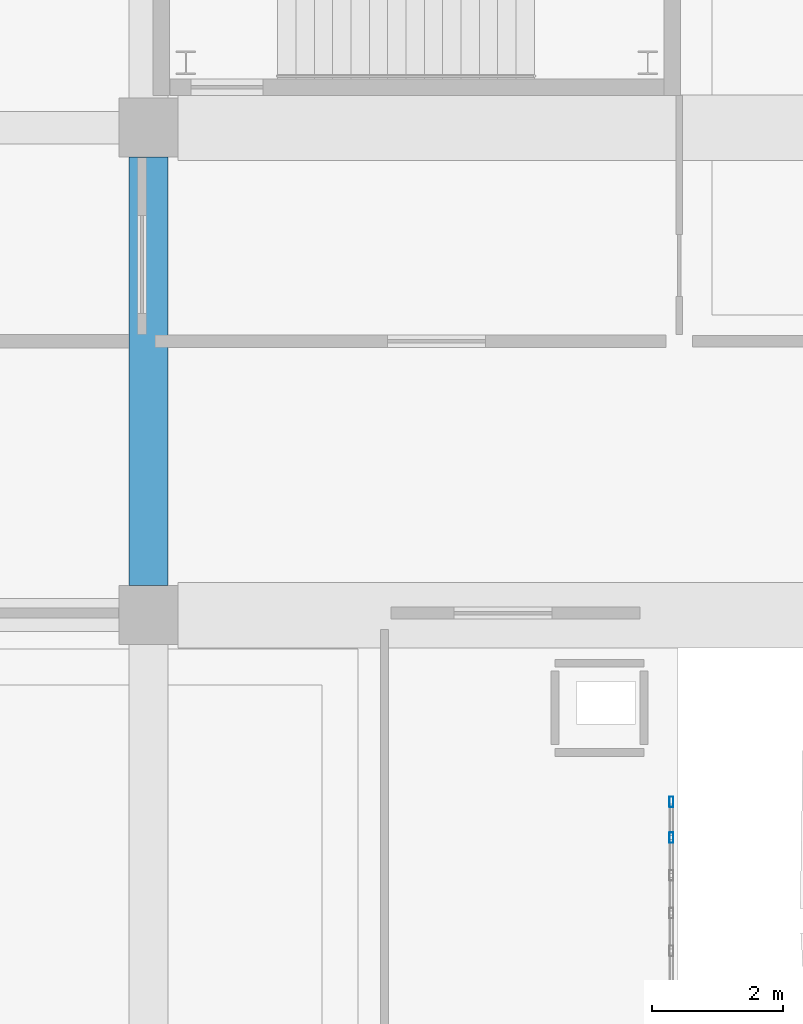
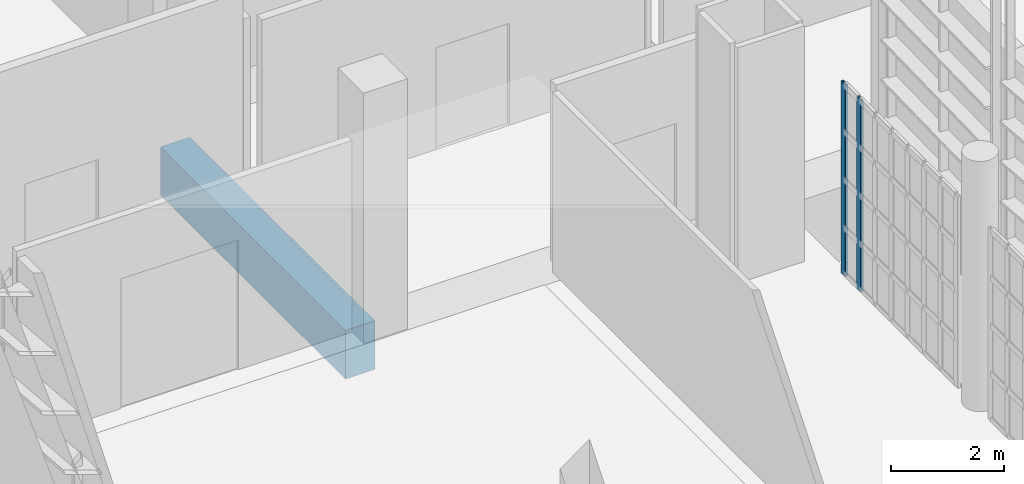
# One storey, part 194 of 372: 2 members, 1 beam, 1 element without a shape of its own.
"""IFC4 building model written with IfcOpenShell, lengths in metres."""

import ifcopenshell
import ifcopenshell.guid

model = None  # the IFC model being written
_history = None  # IfcOwnerHistory: only IFC2X3 demands one
_inside = {}  # id of a spatial element -> (the spatial element, [elements in it])
_under = {}  # id of a project, library or spatial element -> (it, [spatial elements below it])
_declared = {}  # id of a project -> (the project, [libraries it declares])
_typed = {}  # id of a type object -> (the type object, [elements of that type])
_made_of = {}  # id of a material, layer set ... -> (it, [elements and type objects made of it])


def new_model(schema):
    """Start an empty IFC model of exactly this schema.

    Asked for "IFC4X3", IfcOpenShell would pick the latest addendum, in which some entities
    have other attributes; the version numbers below select the first issue.
    IFC2X3 requires an IfcOwnerHistory on every rooted entity: one is made here for all.
    """
    global model, _history
    if schema == "IFC4X3":
        model = ifcopenshell.file(schema_version=(4, 3, 0, 0))
    else:
        model = ifcopenshell.file(schema=schema)
    _inside.clear()
    _under.clear()
    _declared.clear()
    _typed.clear()
    _made_of.clear()
    _history = None
    if model.schema == "IFC2X3":
        org = make("IfcOrganization", Name="unknown")
        user = make(
            "IfcPersonAndOrganization",
            ThePerson=make("IfcPerson", FamilyName="unknown"),
            TheOrganization=org,
        )
        app = make(
            "IfcApplication",
            ApplicationDeveloper=org,
            Version="unknown",
            ApplicationFullName="unknown",
            ApplicationIdentifier="unknown",
        )
        _history = make(
            "IfcOwnerHistory",
            OwningUser=user,
            OwningApplication=app,
            ChangeAction="ADDED",
            CreationDate=0,
        )
    return model


def make(cls, **values):
    """One entity of the class cls with the attributes given. An attribute that is None is left unset."""
    return model.create_entity(
        cls, **{name: value for name, value in values.items() if value is not None}
    )


def rooted(cls, **values):
    """An entity with a GlobalId (a new one), such as an element, a storey or a relation."""
    return make(cls, GlobalId=ifcopenshell.guid.new(), OwnerHistory=_history, **values)


def si_unit(unit_type, name, prefix=None):
    """IfcSIUnit, for example si_unit("LENGTHUNIT", "METRE", prefix="MILLI")."""
    return make("IfcSIUnit", UnitType=unit_type, Prefix=prefix, Name=name)


def assignment(units):
    """IfcUnitAssignment: the units of a project."""
    return None if units is None else make("IfcUnitAssignment", Units=units)


def point(xyz):
    """IfcCartesianPoint."""
    return None if xyz is None else make("IfcCartesianPoint", Coordinates=xyz)


def direction(xyz):
    """IfcDirection."""
    return None if xyz is None else make("IfcDirection", DirectionRatios=xyz)


def frame(location, z_axis=None, x_axis=None):
    """IfcAxis2Placement3D, a coordinate frame: its origin and axes. An axis left out is left unset."""
    return make(
        "IfcAxis2Placement3D",
        Location=point(location),
        Axis=direction(z_axis),
        RefDirection=direction(x_axis),
    )


def frame_2d(location, x_axis=None):
    """IfcAxis2Placement2D, a coordinate frame in the plane: its origin and x axis."""
    return make(
        "IfcAxis2Placement2D", Location=point(location), RefDirection=direction(x_axis)
    )


def origin():
    """The frame at (0, 0, 0) with its axes left unset."""
    return frame((0.0, 0.0, 0.0))


def origin_2d():
    """The frame at (0, 0) in the plane with its x axis left unset."""
    return frame_2d((0.0, 0.0))


def place(relative_to, where):
    """IfcLocalPlacement: puts the frame where relative to a parent placement (None: the world)."""
    return make(
        "IfcLocalPlacement", PlacementRelTo=relative_to, RelativePlacement=where
    )


def context(
    kind, dimensions, precision=None, world=None, true_north=None, identifier=None
):
    """IfcGeometricRepresentationContext, for example the 3D "Model" context."""
    return make(
        "IfcGeometricRepresentationContext",
        ContextIdentifier=identifier,
        ContextType=kind,
        CoordinateSpaceDimension=dimensions,
        Precision=precision,
        WorldCoordinateSystem=world,
        TrueNorth=true_north,
    )


def subcontext(parent, identifier, kind, view, scale=None):
    """IfcGeometricRepresentationSubContext, for example "Body" below "Model"."""
    return make(
        "IfcGeometricRepresentationSubContext",
        ContextIdentifier=identifier,
        ContextType=kind,
        ParentContext=parent,
        TargetScale=scale,
        TargetView=view,
    )


def project(units=None, contexts=None):
    """IfcProject with its units and contexts."""
    return rooted(
        "IfcProject",
        Name="project",
        RepresentationContexts=contexts,
        UnitsInContext=assignment(units),
    )


def spatial(cls, under=None, at=None, **own):
    """A site, building, storey or space (cls), placed at a placement, below another one or the project."""
    s = rooted(cls, ObjectPlacement=at, **own)
    if under is not None:
        _under.setdefault(under.id(), (under, []))[1].append(s)
    return s


def profile(cls, at=None, kind="AREA", **sizes):
    """A parametric profile (cls). Its sizes go by their IFC names, for example OverallWidth=200.0."""
    return make(cls, ProfileType=kind, Position=at, **sizes)


def rectangle(**sizes):
    """IfcRectangleProfileDef."""
    return profile("IfcRectangleProfileDef", **sizes)


def hollow_rectangle(**sizes):
    """IfcRectangleHollowProfileDef."""
    return profile("IfcRectangleHollowProfileDef", **sizes)


def extrude(swept, where, along, depth):
    """IfcExtrudedAreaSolid: the profile swept, set in the frame where, extruded along a direction by depth."""
    return make(
        "IfcExtrudedAreaSolid",
        SweptArea=swept,
        Position=where,
        ExtrudedDirection=direction(along),
        Depth=depth,
    )


def shape(context_of_items, identifier, shape_type, items):
    """IfcShapeRepresentation: the items that make up one representation, for example the "Body"."""
    return make(
        "IfcShapeRepresentation",
        ContextOfItems=context_of_items,
        RepresentationIdentifier=identifier,
        RepresentationType=shape_type,
        Items=items,
    )


def material(Name=None, Category=None):
    """IfcMaterial."""
    return make("IfcMaterial", Name=Name, Category=Category)


def material_profile(
    of_material, cross_section, Name=None, Category=None, Priority=None
):
    """IfcMaterialProfile: a cross section and its material."""
    return make(
        "IfcMaterialProfile",
        Name=Name,
        Material=of_material,
        Profile=cross_section,
        Priority=Priority,
        Category=Category,
    )


def profile_set(profiles, Name=None, composite=None):
    """IfcMaterialProfileSet."""
    return make(
        "IfcMaterialProfileSet",
        Name=Name,
        MaterialProfiles=profiles,
        CompositeProfile=composite,
    )


def made_of(thing, what):
    """Note that an element or type object is made of a material, layer set ...; save() writes the relation."""
    if what is not None:
        _made_of.setdefault(what.id(), (what, []))[1].append(thing)
    return thing


def type_object(cls, material=None, **own):
    """A type object (cls), such as IfcWallType, which elements share."""
    return made_of(rooted(cls, **own), material)


def element(
    cls,
    number,
    at=None,
    inside=None,
    cuts=None,
    type_object=None,
    material=None,
    context=None,
    identifier="Body",
    shape_type=None,
    held_by="IfcProductDefinitionShape",
    body=None,
    shapes=None,
    **own,
):
    """One element of the class cls, such as IfcWall. Its Tag is "e" and its number.

    at: its placement. inside: the storey or other place that contains it. cuts: it is an
    opening in that element (IfcRelVoidsElement). A single representation is given by context,
    identifier, shape_type and body (its items); several are given by shapes. held_by: the class
    of the entity that holds the representations. save() writes the other relations.
    """
    e = rooted(cls, Tag="e%d" % number, ObjectPlacement=at, **own)
    if body is not None:
        shapes = [shape(context, identifier, shape_type, body)]
    if shapes is not None:
        e.Representation = make(held_by, Representations=shapes)
    if inside is not None:
        _inside.setdefault(inside.id(), (inside, []))[1].append(e)
    if cuts is not None:
        rooted(
            "IfcRelVoidsElement", RelatingBuildingElement=cuts, RelatedOpeningElement=e
        )
    if type_object is not None:
        _typed.setdefault(type_object.id(), (type_object, []))[1].append(e)
    return made_of(e, material)


def aggregate(whole, parts):
    """IfcRelAggregates: a whole, such as a stair, and the parts it consists of."""
    return rooted("IfcRelAggregates", RelatingObject=whole, RelatedObjects=parts)


def save(model, path):
    """Write the relations noted so far, then the file.

    IfcRelAggregates (storeys below a building ...), IfcRelContainedInSpatialStructure (elements
    in a storey), IfcRelDefinesByType, IfcRelAssociatesMaterial and IfcRelDeclares: one each for
    every whole, place, type object, material and project.
    """
    for whole, parts in _under.values():
        aggregate(whole, parts)
    for where, things in _inside.values():
        rooted(
            "IfcRelContainedInSpatialStructure",
            RelatedElements=things,
            RelatingStructure=where,
        )
    for kind, things in _typed.values():
        rooted("IfcRelDefinesByType", RelatedObjects=things, RelatingType=kind)
    for what, things in _made_of.values():
        rooted("IfcRelAssociatesMaterial", RelatedObjects=things, RelatingMaterial=what)
    for by, libraries in _declared.values():
        rooted("IfcRelDeclares", RelatingContext=by, RelatedDefinitions=libraries)
    model.write(path)


model = new_model("IFC4")

# Units and contexts
model_context = context("Model", 3, precision=1e-05, world=origin(), true_north=direction((0.0, 1.0)))
body_context = subcontext(model_context, "Body", "Model", "MODEL_VIEW")
ifc_project = project(units=[si_unit("LENGTHUNIT", "METRE"), si_unit("AREAUNIT", "SQUARE_METRE"), si_unit("VOLUMEUNIT", "CUBIC_METRE"), si_unit("PLANEANGLEUNIT", "RADIAN"), si_unit("MASSUNIT", "GRAM", prefix="KILO")], contexts=[model_context])

# Site, building, storey
site_placement = place(None, origin())
site = spatial("IfcSite", under=ifc_project, at=site_placement, CompositionType="ELEMENT")
building_placement = place(site_placement, origin())
building = spatial("IfcBuilding", under=site, at=building_placement, Name="Kaelora Sail Theatre", CompositionType="ELEMENT")
storey_placement = place(building_placement, origin())
storey = spatial("IfcBuildingStorey", under=building, at=storey_placement, Name="L00", CompositionType="ELEMENT", Elevation=0.0)

# Curtain wall, members
ifc_material_1 = material(Name="Anodised aluminium and solar-control low-E IGU", Category="aluminium")
curtain_wall_type = type_object("IfcCurtainWallType", Name="ARC-CW-CW-FOY1", PredefinedType="NOTDEFINED", material=ifc_material_1)
curtain_wall_placement = place(storey_placement, origin())
curtain_wall = element("IfcCurtainWall", 1, at=curtain_wall_placement, inside=storey, type_object=curtain_wall_type, Name="West Interstitial Foyer East Glazed Return L00-04", PredefinedType="NOTDEFINED")
ifc_material_2 = material(Name="Anodised aluminium 6063-T6", Category="aluminium")
ifc_material_profile_1 = material_profile(ifc_material_2, hollow_rectangle(XDim=0.06005859375, YDim=0.159912109375, WallThickness=0.00390625, InnerFilletRadius=0.00390625, OuterFilletRadius=0.008056640625, at=origin_2d()), Name="ALU-MULL 60x160x4")
ifc_profile_set_1 = profile_set([ifc_material_profile_1], Name="Anodised aluminium 6063-T6")
member_type = type_object("IfcMemberType", Name="ARC-MEM-ML-160", PredefinedType="MULLION", material=ifc_profile_set_1)
member_1_placement = place(storey_placement, frame((74.280029296875, 57.62353515625, 0.0), z_axis=(0.0, 0.0, 1.0), x_axis=(-1.0, 0.0, 0.0)))
member_1 = element("IfcMember", 2, at=member_1_placement, type_object=member_type, Name="CW-FOY1 mullion 7", PredefinedType="MULLION", context=body_context, shape_type="SweptSolid", body=[
    extrude(hollow_rectangle(XDim=0.06005859375, YDim=0.159912109375, WallThickness=0.00390625, InnerFilletRadius=0.00390625, OuterFilletRadius=0.008056640625, at=origin_2d()), origin(), (0.0, 0.0, 1.0), 4.136962890625),
])
member_2_placement = place(storey_placement, frame((74.280029296875, 58.169921875, 0.0), z_axis=(0.0, 0.0, 1.0), x_axis=(-1.0, 0.0, 0.0)))
member_2 = element("IfcMember", 3, at=member_2_placement, type_object=member_type, Name="CW-FOY1 mullion 8", PredefinedType="MULLION", context=body_context, shape_type="SweptSolid", body=[
    extrude(hollow_rectangle(XDim=0.06005859375, YDim=0.159912109375, WallThickness=0.00390625, InnerFilletRadius=0.00390625, OuterFilletRadius=0.008056640625, at=origin_2d()), origin(), (0.0, 0.0, 1.0), 4.136962890625),
])
aggregate(curtain_wall, [member_1, member_2])

# Beam
ifc_material_3 = material(Name="Concrete C50/60", Category="concrete")
ifc_material_profile_2 = material_profile(ifc_material_3, rectangle(XDim=0.60009765625, YDim=1.050048828125, at=origin_2d()), Name="RC-GRD 600x1050")
ifc_profile_set_2 = profile_set([ifc_material_profile_2], Name="Concrete C50/60")
beam_type = type_object("IfcBeamType", Name="STR-BM-GR-RC6105", PredefinedType="T_BEAM", material=ifc_profile_set_2)
beam_placement = place(storey_placement, frame((66.300048828125, 61.469970703125, -0.844970703125), z_axis=(0.0, 1.0, 0.0), x_axis=(-1.0, 0.0, 0.0)))
element("IfcBeam", 4, at=beam_placement, inside=storey, type_object=beam_type, Name="Primary beam 9 I-J (L00)", PredefinedType="T_BEAM", context=body_context, shape_type="SweptSolid", body=[
    extrude(rectangle(XDim=0.60009765625, YDim=1.050048828125, at=origin_2d()), origin(), (0.0, 0.0, 1.0), 6.5400390625),
])

save(model, "model.ifc")
